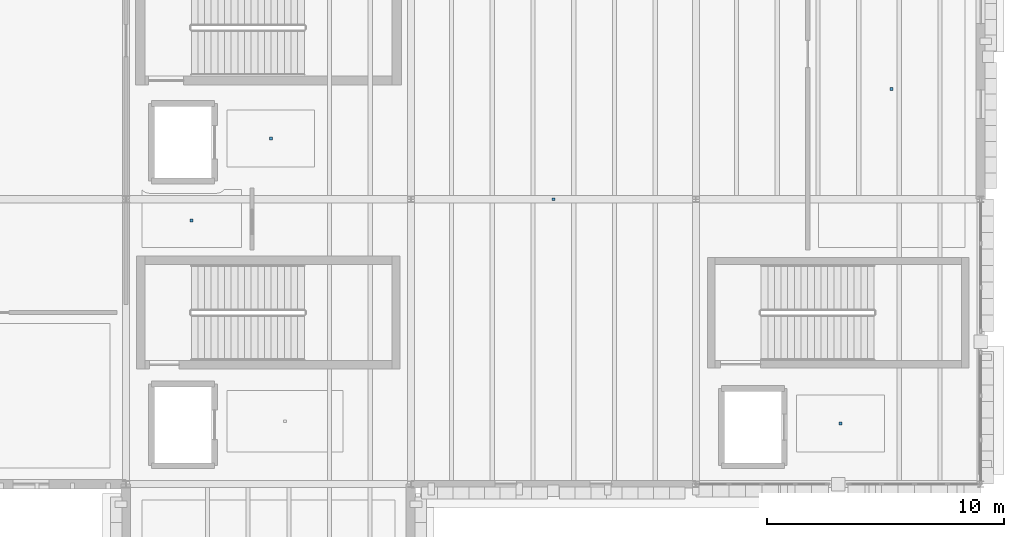
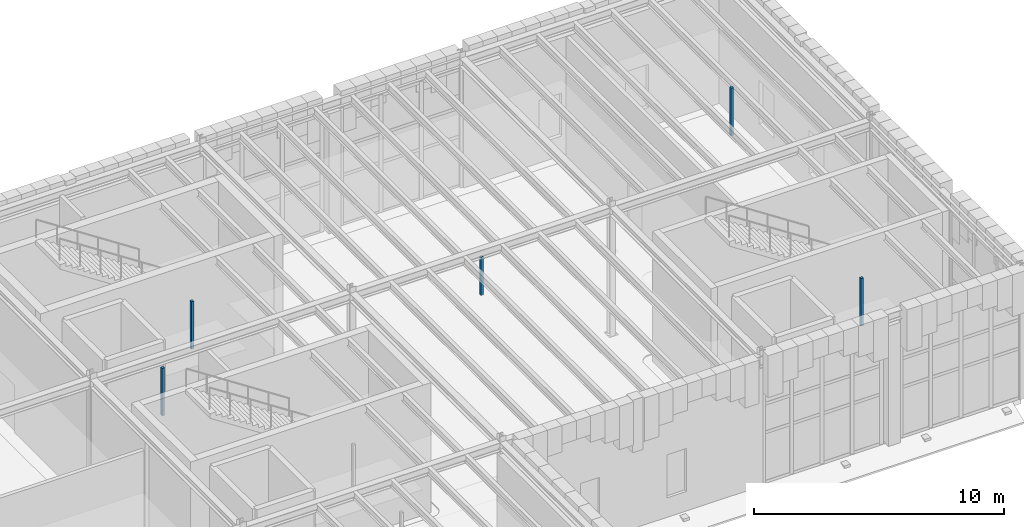
# One storey, part 48 of 62: 5 discrete accessories.
"""IFC4 building model written with IfcOpenShell, lengths in metres."""

from ifc_helpers import new_model, si_unit, direction, frame, origin, origin_2d, place, context, subcontext, project, spatial, rectangle, extrude, material, type_object, element, save


model = new_model("IFC4")

# Units and contexts
model_context = context("Model", 3, precision=1e-05, world=origin(), true_north=direction((0.0, 1.0)))
body_context = subcontext(model_context, "Body", "Model", "MODEL_VIEW")
ifc_project = project(units=[si_unit("LENGTHUNIT", "METRE"), si_unit("AREAUNIT", "SQUARE_METRE"), si_unit("VOLUMEUNIT", "CUBIC_METRE"), si_unit("PLANEANGLEUNIT", "RADIAN"), si_unit("MASSUNIT", "GRAM", prefix="KILO")], contexts=[model_context])

# Site, building, storey
site_placement = place(None, origin())
site = spatial("IfcSite", under=ifc_project, at=site_placement, CompositionType="ELEMENT")
building_placement = place(site_placement, origin())
building = spatial("IfcBuilding", under=site, at=building_placement, Name="Zlatogorsky Bluff Art Gallery", CompositionType="ELEMENT")
storey_placement = place(building_placement, frame((0.0, 0.0, 16.800048828125)))
storey = spatial("IfcBuildingStorey", under=building, at=storey_placement, Name="L03", CompositionType="ELEMENT", Elevation=16.800048828125)

# Discrete accessories
ifc_material = material(Name="Steel S355", Category="steel")
discrete_accessory_type = type_object("IfcDiscreteAccessoryType", Name="Stainless Facade Fin Bracket BRK-01", PredefinedType="BRACKET", material=ifc_material)
for number, where, z_axis, x_axis, name in (
    (1, (126.10009765625, 98.550048828125, 4.0546875), (0.0, 0.0, 1.0), (1.0, 0.0, 0.0), "Acoustic ceiling suspension hanger L03-PL-1-LB"),
    (2, (150.10009765625, 86.550048828125, 4.0546875), (0.0, 0.0, 1.0), (1.0, 0.0, 0.0), "Acoustic ceiling suspension hanger L03-PL-2-LB"),
    (3, (122.762451171875, 95.10498046875, 4.0546875), (0.0, 0.0, 1.0), (1.0, 0.0, 0.0), "Acoustic ceiling suspension hanger L03-CU-11"),
):
    element("IfcDiscreteAccessory", number, at=place(storey_placement, frame(where, z_axis=z_axis, x_axis=x_axis)), inside=storey, type_object=discrete_accessory_type, Name=name, PredefinedType="BRACKET", context=body_context, shape_type="SweptSolid", body=[
        extrude(rectangle(XDim=0.1201171875, YDim=0.1201171875, at=origin_2d()), origin(), (0.0, 0.0, 1.0), 2.320068359375),
    ])
discrete_accessory_1_placement = place(storey_placement, frame((138.0, 96.0, 4.0546875), z_axis=(0.0, 0.0, 1.0), x_axis=(1.0, 0.0, 0.0)))
element("IfcDiscreteAccessory", 4, at=discrete_accessory_1_placement, inside=storey, type_object=discrete_accessory_type, Name="Acoustic ceiling suspension hanger L03-CU-12", PredefinedType="BRACKET", context=body_context, shape_type="SweptSolid", body=[
    extrude(rectangle(XDim=0.1201171875, YDim=0.1201171875, at=origin_2d()), origin(), (0.0, 0.0, 1.0), 1.860107421875),
])
discrete_accessory_2_placement = place(storey_placement, frame((152.245361328125, 100.64501953125, 4.0546875), z_axis=(0.0, 0.0, 1.0), x_axis=(1.0, 0.0, 0.0)))
element("IfcDiscreteAccessory", 5, at=discrete_accessory_2_placement, inside=storey, type_object=discrete_accessory_type, Name="Acoustic ceiling suspension hanger L03-CU-13", PredefinedType="BRACKET", context=body_context, shape_type="SweptSolid", body=[
    extrude(rectangle(XDim=0.1201171875, YDim=0.1201171875, at=origin_2d()), origin(), (0.0, 0.0, 1.0), 2.320068359375),
])

save(model, "model.ifc")
